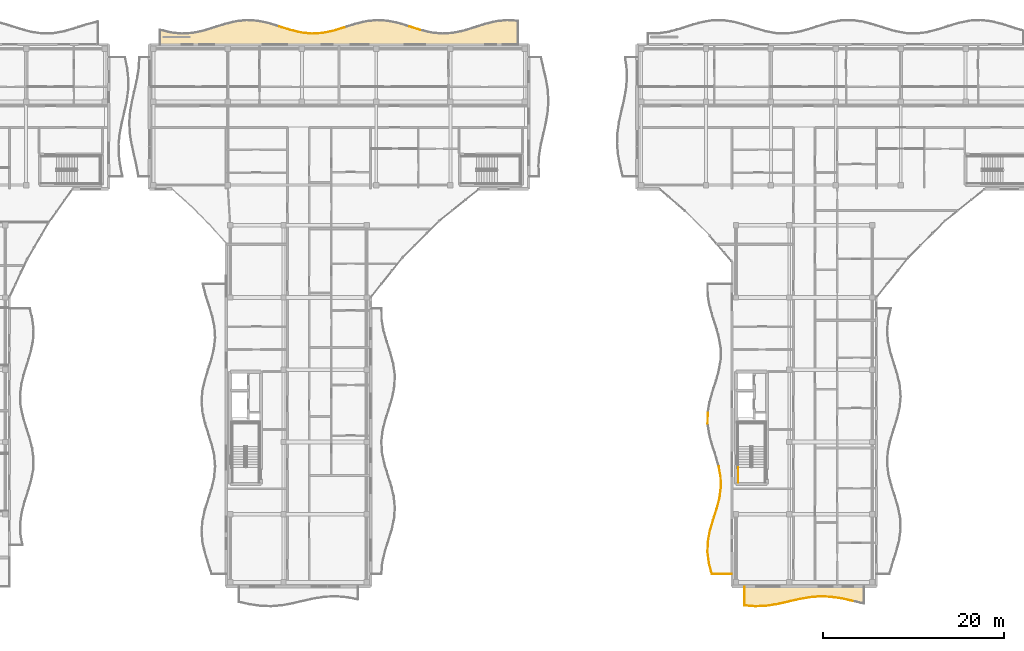
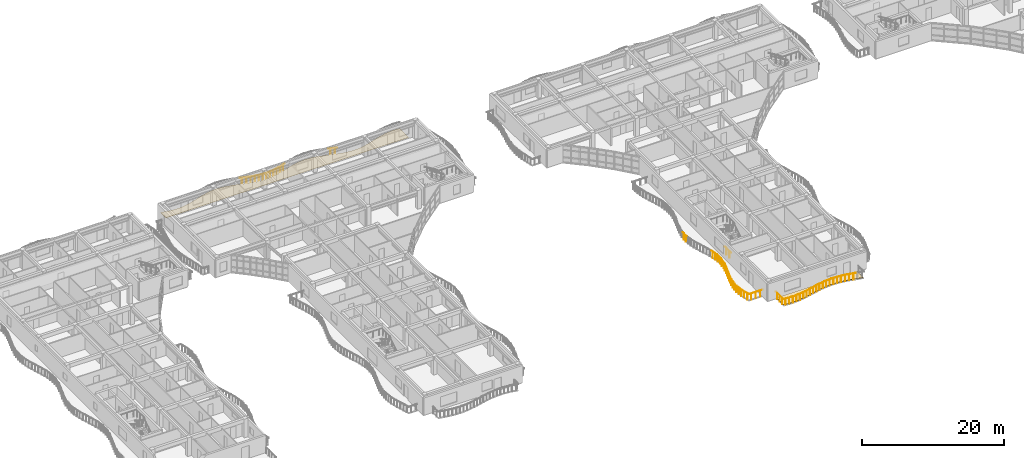
# One storey, part 57 of 72: 31 railings, 2 coverings.
"""IFC4 building model written with IfcOpenShell, lengths in metres."""

from ifc_helpers import new_model, si_unit, direction, frame, origin, origin_2d, place, context, subcontext, project, spatial, polyline, circle, outline, extrude, material, layer, layer_set, type_object, element, save


model = new_model("IFC4")

# Units and contexts
model_context = context("Model", 3, precision=1e-05, world=origin(), true_north=direction((0.0, 1.0)))
body_context = subcontext(model_context, "Body", "Model", "MODEL_VIEW")
ifc_project = project(units=[si_unit("LENGTHUNIT", "METRE"), si_unit("AREAUNIT", "SQUARE_METRE"), si_unit("VOLUMEUNIT", "CUBIC_METRE"), si_unit("PLANEANGLEUNIT", "RADIAN"), si_unit("MASSUNIT", "GRAM", prefix="KILO")], contexts=[model_context])

# Site, building, storey
site_placement = place(None, origin())
site = spatial("IfcSite", under=ifc_project, at=site_placement, CompositionType="ELEMENT")
building_placement = place(site_placement, origin())
building = spatial("IfcBuilding", under=site, at=building_placement, Name="Keldmere Railside Commons", CompositionType="ELEMENT")
storey_placement = place(building_placement, frame((0.0, 0.0, 16.9599609375)))
storey = spatial("IfcBuildingStorey", under=building, at=storey_placement, Name="L05", CompositionType="ELEMENT", Elevation=16.9599609375)

# Railings
ifc_material_1 = material(Name="Steel F-24 (S235)", Category="steel")
railing_type_1 = type_object("IfcRailingType", Name="Balcony & Terrace Steel Balustrade 1100", PredefinedType="BALUSTRADE", material=ifc_material_1)
railing_1_placement = place(storey_placement, frame((53.89990234375, 117.998779296875, 0.0)))
element("IfcRailing", 1, at=railing_1_placement, inside=storey, type_object=railing_type_1, Name="GR-1 GRD-L05-1318", PredefinedType="BALUSTRADE", context=body_context, shape_type="SweptSolid", body=[
    extrude(circle(Radius=0.02392578125, at=origin_2d()), frame((0.0, 0.0, 1.076171875), z_axis=(0.95321564853, -0.302291130199, 0.0), x_axis=(0.302291130199, 0.95321564853, 0.0)), (0.0, 0.0, 1.0), 1.259033203125),
    extrude(circle(Radius=0.02099609375, at=origin_2d()), frame((0.300048828125, -0.09521484375, 0.0)), (0.0, 0.0, 1.0), 1.048095703125),
    extrude(circle(Radius=0.02099609375, at=origin_2d()), frame((0.900146484375, -0.285400390625, 0.0)), (0.0, 0.0, 1.0), 1.048095703125),
])
railing_2_placement = place(storey_placement, frame((55.10009765625, 117.6181640625, 0.0)))
element("IfcRailing", 2, at=railing_2_placement, inside=storey, type_object=railing_type_1, Name="GR-1 GRD-L05-1319", PredefinedType="BALUSTRADE", context=body_context, shape_type="SweptSolid", body=[
    extrude(circle(Radius=0.02392578125, at=origin_2d()), frame((0.0, 0.0, 1.076171875), z_axis=(0.971692139908, -0.23625068305, 0.0), x_axis=(0.23625068305, 0.971692139908, 0.0)), (0.0, 0.0, 1.0), 1.23486328125),
    extrude(circle(Radius=0.02099609375, at=origin_2d()), frame((0.300048828125, -0.072998046875, 0.0)), (0.0, 0.0, 1.0), 1.048095703125),
    extrude(circle(Radius=0.02099609375, at=origin_2d()), frame((0.89990234375, -0.21875, 0.0)), (0.0, 0.0, 1.0), 1.048095703125),
])
railing_3_placement = place(storey_placement, frame((56.300048828125, 117.326416015625, 0.0)))
element("IfcRailing", 3, at=railing_3_placement, inside=storey, type_object=railing_type_1, Name="GR-1 GRD-L05-1320", PredefinedType="BALUSTRADE", context=body_context, shape_type="SweptSolid", body=[
    extrude(circle(Radius=0.02392578125, at=origin_2d()), frame((0.0, 0.0, 1.076171875), z_axis=(0.994638808846, -0.103410057237, 0.0), x_axis=(0.103410057237, 0.994638808846, 0.0)), (0.0, 0.0, 1.0), 1.206298828125),
    extrude(circle(Radius=0.02099609375, at=origin_2d()), frame((0.300048828125, -0.03125, 0.0)), (0.0, 0.0, 1.0), 1.048095703125),
    extrude(circle(Radius=0.02099609375, at=origin_2d()), frame((0.89990234375, -0.093505859375, 0.0)), (0.0, 0.0, 1.0), 1.048095703125),
])
railing_4_placement = place(storey_placement, frame((57.5, 117.20166015625, 0.0)))
element("IfcRailing", 4, at=railing_4_placement, inside=storey, type_object=railing_type_1, Name="GR-1 GRD-L05-1321", PredefinedType="BALUSTRADE", context=body_context, shape_type="SweptSolid", body=[
    extrude(circle(Radius=0.02392578125, at=origin_2d()), frame((0.0, 0.0, 1.076171875), z_axis=(0.998016861928, 0.062947146937, 0.0), x_axis=(-0.062947146937, 0.998016861928, 0.0)), (0.0, 0.0, 1.0), 1.202392578125),
    extrude(circle(Radius=0.02099609375, at=origin_2d()), frame((0.300048828125, 0.01904296875, 0.0)), (0.0, 0.0, 1.0), 1.048095703125),
    extrude(circle(Radius=0.02099609375, at=origin_2d()), frame((0.89990234375, 0.056640625, 0.0)), (0.0, 0.0, 1.0), 1.048095703125),
])
railing_5_placement = place(storey_placement, frame((58.699951171875, 117.27734375, 0.0)))
element("IfcRailing", 5, at=railing_5_placement, inside=storey, type_object=railing_type_1, Name="GR-1 GRD-L05-1322", PredefinedType="BALUSTRADE", context=body_context, shape_type="SweptSolid", body=[
    extrude(circle(Radius=0.02392578125, at=origin_2d()), frame((0.0, 0.0, 1.076171875), z_axis=(0.977973885386, 0.208727284999, 0.0), x_axis=(-0.208727284999, 0.977973885386, 0.0)), (0.0, 0.0, 1.0), 1.22705078125),
    extrude(circle(Radius=0.02099609375, at=origin_2d()), frame((0.300048828125, 0.06396484375, 0.0)), (0.0, 0.0, 1.0), 1.048095703125),
    extrude(circle(Radius=0.02099609375, at=origin_2d()), frame((0.89990234375, 0.192138671875, 0.0)), (0.0, 0.0, 1.0), 1.048095703125),
])
railing_6_placement = place(storey_placement, frame((59.89990234375, 117.533447265625, 0.0)))
element("IfcRailing", 6, at=railing_6_placement, inside=storey, type_object=railing_type_1, Name="GR-1 GRD-L05-1323", PredefinedType="BALUSTRADE", context=body_context, shape_type="SweptSolid", body=[
    extrude(circle(Radius=0.02392578125, at=origin_2d()), frame((0.0, 0.0, 1.076171875), z_axis=(0.95613994252, 0.292910242766, 0.0), x_axis=(-0.292910242766, 0.95613994252, 0.0)), (0.0, 0.0, 1.0), 1.25537109375),
    extrude(circle(Radius=0.02099609375, at=origin_2d()), frame((0.300048828125, 0.091796875, 0.0)), (0.0, 0.0, 1.0), 1.048095703125),
    extrude(circle(Radius=0.02099609375, at=origin_2d()), frame((0.900146484375, 0.27587890625, 0.0)), (0.0, 0.0, 1.0), 1.048095703125),
])
railing_7_placement = place(storey_placement, frame((68.300048828125, 117.998779296875, 0.0)))
element("IfcRailing", 7, at=railing_7_placement, inside=storey, type_object=railing_type_1, Name="GR-1 GRD-L05-1330", PredefinedType="BALUSTRADE", context=body_context, shape_type="SweptSolid", body=[
    extrude(circle(Radius=0.02392578125, at=origin_2d()), frame((0.0, 0.0, 1.076171875), z_axis=(0.953197924988, -0.302347012219, 0.0), x_axis=(0.302347012219, 0.953197924988, 0.0)), (0.0, 0.0, 1.0), 1.2587890625),
    extrude(circle(Radius=0.02099609375, at=origin_2d()), frame((0.300048828125, -0.09521484375, 0.0)), (0.0, 0.0, 1.0), 1.048095703125),
    extrude(circle(Radius=0.02099609375, at=origin_2d()), frame((0.89990234375, -0.285400390625, 0.0)), (0.0, 0.0, 1.0), 1.048095703125),
])
railing_8_placement = place(storey_placement, frame((104.0, 57.39990234375, 0.0)))
element("IfcRailing", 8, at=railing_8_placement, inside=storey, type_object=railing_type_1, Name="GR-1 GRD-L05-2431", PredefinedType="BALUSTRADE", context=body_context, shape_type="SweptSolid", body=[
    extrude(circle(Radius=0.02392578125, at=origin_2d()), frame((0.0, 0.0, 1.076171875), z_axis=(-1.0, 0.0, 0.0), x_axis=(0.0, -1.0, 0.0)), (0.0, 0.0, 1.0), 2.218994140625),
    extrude(circle(Radius=0.02099609375, at=origin_2d()), frame((-0.369873046875, 0.0, 0.0)), (0.0, 0.0, 1.0), 1.048095703125),
    extrude(circle(Radius=0.02099609375, at=origin_2d()), frame((-1.109375, 0.0, 0.0)), (0.0, 0.0, 1.0), 1.048095703125),
    extrude(circle(Radius=0.02099609375, at=origin_2d()), frame((-1.84912109375, 0.0, 0.0)), (0.0, 0.0, 1.0), 1.048095703125),
])
railing_9_placement = place(storey_placement, frame((101.781005859375, 57.39990234375, 0.0)))
element("IfcRailing", 9, at=railing_9_placement, inside=storey, type_object=railing_type_1, Name="GR-1 GRD-L05-2432", PredefinedType="BALUSTRADE", context=body_context, shape_type="SweptSolid", body=[
    extrude(circle(Radius=0.02392578125, at=origin_2d()), frame((0.0, 0.0, 1.076171875), z_axis=(-0.253642617491, 0.967298000924, 0.0), x_axis=(-0.967298000924, -0.253642617491, 0.0)), (0.0, 0.0, 1.0), 1.229248046875),
    extrude(circle(Radius=0.02099609375, at=origin_2d()), frame((-0.077880859375, 0.29736328125, 0.0)), (0.0, 0.0, 1.0), 1.048095703125),
    extrude(circle(Radius=0.02099609375, at=origin_2d()), frame((-0.23388671875, 0.8916015625, 0.0)), (0.0, 0.0, 1.0), 1.048095703125),
])
railing_10_placement = place(storey_placement, frame((101.46923828125, 58.5888671875, 0.0)))
element("IfcRailing", 10, at=railing_10_placement, inside=storey, type_object=railing_type_1, Name="GR-1 GRD-L05-2433", PredefinedType="BALUSTRADE", context=body_context, shape_type="SweptSolid", body=[
    extrude(circle(Radius=0.02392578125, at=origin_2d()), frame((0.0, 0.0, 1.076171875), z_axis=(-0.132497001518, 0.991183406131, 0.0), x_axis=(-0.991183406131, -0.132497001518, 0.0)), (0.0, 0.0, 1.0), 1.199462890625),
    extrude(circle(Radius=0.02099609375, at=origin_2d()), frame((-0.039794921875, 0.29736328125, 0.0)), (0.0, 0.0, 1.0), 1.048095703125),
    extrude(circle(Radius=0.02099609375, at=origin_2d()), frame((-0.119140625, 0.8916015625, 0.0)), (0.0, 0.0, 1.0), 1.048095703125),
])
railing_11_placement = place(storey_placement, frame((101.310302734375, 59.77783203125, 0.0)))
element("IfcRailing", 11, at=railing_11_placement, inside=storey, type_object=railing_type_1, Name="GR-1 GRD-L05-2434", PredefinedType="BALUSTRADE", context=body_context, shape_type="SweptSolid", body=[
    extrude(circle(Radius=0.02392578125, at=origin_2d()), frame((0.0, 0.0, 1.076171875), z_axis=(0.030171063291, 0.999544749844, 0.0), x_axis=(-0.999544749844, 0.030171063291, 0.0)), (0.0, 0.0, 1.0), 1.189453125),
    extrude(circle(Radius=0.02099609375, at=origin_2d()), frame((0.009033203125, 0.29736328125, 0.0)), (0.0, 0.0, 1.0), 1.048095703125),
    extrude(circle(Radius=0.02099609375, at=origin_2d()), frame((0.02685546875, 0.8916015625, 0.0)), (0.0, 0.0, 1.0), 1.048095703125),
])
railing_12_placement = place(storey_placement, frame((101.34619140625, 60.966796875, 0.0)))
element("IfcRailing", 12, at=railing_12_placement, inside=storey, type_object=railing_type_1, Name="GR-1 GRD-L05-2435", PredefinedType="BALUSTRADE", context=body_context, shape_type="SweptSolid", body=[
    extrude(circle(Radius=0.02392578125, at=origin_2d()), frame((0.0, 0.0, 1.076171875), z_axis=(0.182544788464, 0.98319753875, 0.0), x_axis=(-0.98319753875, 0.182544788464, 0.0)), (0.0, 0.0, 1.0), 1.208984375),
    extrude(circle(Radius=0.02099609375, at=origin_2d()), frame((0.05517578125, 0.297119140625, 0.0)), (0.0, 0.0, 1.0), 1.048095703125),
    extrude(circle(Radius=0.02099609375, at=origin_2d()), frame((0.16552734375, 0.8916015625, 0.0)), (0.0, 0.0, 1.0), 1.048095703125),
])
railing_13_placement = place(storey_placement, frame((101.56689453125, 62.155517578125, 0.0)))
element("IfcRailing", 13, at=railing_13_placement, inside=storey, type_object=railing_type_1, Name="GR-1 GRD-L05-2436", PredefinedType="BALUSTRADE", context=body_context, shape_type="SweptSolid", body=[
    extrude(circle(Radius=0.02392578125, at=origin_2d()), frame((0.0, 0.0, 1.076171875), z_axis=(0.281013858466, 0.959703710189, 0.0), x_axis=(-0.959703710189, 0.281013858466, 0.0)), (0.0, 0.0, 1.0), 1.23876953125),
    extrude(circle(Radius=0.02099609375, at=origin_2d()), frame((0.0869140625, 0.29736328125, 0.0)), (0.0, 0.0, 1.0), 1.048095703125),
    extrude(circle(Radius=0.02099609375, at=origin_2d()), frame((0.26123046875, 0.8916015625, 0.0)), (0.0, 0.0, 1.0), 1.048095703125),
])
railing_14_placement = place(storey_placement, frame((101.9150390625, 63.344482421875, 0.0)))
element("IfcRailing", 14, at=railing_14_placement, inside=storey, type_object=railing_type_1, Name="GR-1 GRD-L05-2437", PredefinedType="BALUSTRADE", context=body_context, shape_type="SweptSolid", body=[
    extrude(circle(Radius=0.02392578125, at=origin_2d()), frame((0.0, 0.0, 1.076171875), z_axis=(0.307065598681, 0.951688351356, 0.0), x_axis=(-0.951688351356, 0.307065598681, 0.0)), (0.0, 0.0, 1.0), 1.2490234375),
    extrude(circle(Radius=0.02099609375, at=origin_2d()), frame((0.095947265625, 0.297119140625, 0.0)), (0.0, 0.0, 1.0), 1.048095703125),
    extrude(circle(Radius=0.02099609375, at=origin_2d()), frame((0.28759765625, 0.8916015625, 0.0)), (0.0, 0.0, 1.0), 1.048095703125),
])
railing_15_placement = place(storey_placement, frame((102.298583984375, 64.533203125, 0.0)))
element("IfcRailing", 15, at=railing_15_placement, inside=storey, type_object=railing_type_1, Name="GR-1 GRD-L05-2438", PredefinedType="BALUSTRADE", context=body_context, shape_type="SweptSolid", body=[
    extrude(circle(Radius=0.02392578125, at=origin_2d()), frame((0.0, 0.0, 1.076171875), z_axis=(0.258465061621, 0.966020606365, 0.0), x_axis=(-0.966020606365, 0.258465061621, 0.0)), (0.0, 0.0, 1.0), 1.230712890625),
    extrude(circle(Radius=0.02099609375, at=origin_2d()), frame((0.07958984375, 0.29736328125, 0.0)), (0.0, 0.0, 1.0), 1.048095703125),
    extrude(circle(Radius=0.02099609375, at=origin_2d()), frame((0.238525390625, 0.8916015625, 0.0)), (0.0, 0.0, 1.0), 1.048095703125),
])
railing_16_placement = place(storey_placement, frame((102.61669921875, 65.72216796875, 0.0)))
element("IfcRailing", 16, at=railing_16_placement, inside=storey, type_object=railing_type_1, Name="GR-1 GRD-L05-2439", PredefinedType="BALUSTRADE", context=body_context, shape_type="SweptSolid", body=[
    extrude(circle(Radius=0.02392578125, at=origin_2d()), frame((0.0, 0.0, 1.076171875), z_axis=(0.140681316736, 0.990054931366, 0.0), x_axis=(-0.990054931366, 0.140681316736, 0.0)), (0.0, 0.0, 1.0), 1.200927734375),
    extrude(circle(Radius=0.02099609375, at=origin_2d()), frame((0.042236328125, 0.29736328125, 0.0)), (0.0, 0.0, 1.0), 1.048095703125),
    extrude(circle(Radius=0.02099609375, at=origin_2d()), frame((0.126708984375, 0.8916015625, 0.0)), (0.0, 0.0, 1.0), 1.048095703125),
])
railing_17_placement = place(storey_placement, frame((102.78564453125, 66.9111328125, 0.0)))
element("IfcRailing", 17, at=railing_17_placement, inside=storey, type_object=railing_type_1, Name="GR-1 GRD-L05-2440", PredefinedType="BALUSTRADE", context=body_context, shape_type="SweptSolid", body=[
    extrude(circle(Radius=0.02392578125, at=origin_2d()), frame((0.0, 0.0, 1.076171875), z_axis=(-0.020529553316, 0.999789246512, 0.0), x_axis=(-0.999789246512, -0.020529553316, 0.0)), (0.0, 0.0, 1.0), 1.189208984375),
    extrude(circle(Radius=0.02099609375, at=origin_2d()), frame((-0.006103515625, 0.29736328125, 0.0)), (0.0, 0.0, 1.0), 1.048095703125),
    extrude(circle(Radius=0.02099609375, at=origin_2d()), frame((-0.018310546875, 0.8916015625, 0.0)), (0.0, 0.0, 1.0), 1.048095703125),
])
railing_18_placement = place(storey_placement, frame((102.76123046875, 68.10009765625, 0.0)))
element("IfcRailing", 18, at=railing_18_placement, inside=storey, type_object=railing_type_1, Name="GR-1 GRD-L05-2441", PredefinedType="BALUSTRADE", context=body_context, shape_type="SweptSolid", body=[
    extrude(circle(Radius=0.02392578125, at=origin_2d()), frame((0.0, 0.0, 1.076171875), z_axis=(-0.175307735817, 0.984513685919, 0.0), x_axis=(-0.984513685919, -0.175307735817, 0.0)), (0.0, 0.0, 1.0), 1.20751953125),
    extrude(circle(Radius=0.02099609375, at=origin_2d()), frame((-0.052978515625, 0.297119140625, 0.0)), (0.0, 0.0, 1.0), 1.048095703125),
    extrude(circle(Radius=0.02099609375, at=origin_2d()), frame((-0.15869140625, 0.8916015625, 0.0)), (0.0, 0.0, 1.0), 1.048095703125),
])
railing_19_placement = place(storey_placement, frame((101.31884765625, 74.04443359375, 0.0)))
element("IfcRailing", 19, at=railing_19_placement, inside=storey, type_object=railing_type_1, Name="GR-1 GRD-L05-2446", PredefinedType="BALUSTRADE", context=body_context, shape_type="SweptSolid", body=[
    extrude(circle(Radius=0.02392578125, at=origin_2d()), frame((0.0, 0.0, 1.076171875), z_axis=(0.011292914336, 0.99993623301, 0.0), x_axis=(-0.99993623301, 0.011292914336, 0.0)), (0.0, 0.0, 1.0), 1.18896484375),
    extrude(circle(Radius=0.02099609375, at=origin_2d()), frame((0.00341796875, 0.29736328125, 0.0)), (0.0, 0.0, 1.0), 1.048095703125),
    extrude(circle(Radius=0.02099609375, at=origin_2d()), frame((0.010009765625, 0.8916015625, 0.0)), (0.0, 0.0, 1.0), 1.048095703125),
])
railing_20_placement = place(storey_placement, frame((105.39990234375, 56.0, 0.0)))
element("IfcRailing", 20, at=railing_20_placement, inside=storey, type_object=railing_type_1, Name="GR-1 GRD-L05-2486", PredefinedType="BALUSTRADE", context=body_context, shape_type="SweptSolid", body=[
    extrude(circle(Radius=0.02392578125, at=origin_2d()), frame((0.0, 0.0, 1.076171875), z_axis=(0.0, -1.0, 0.0), x_axis=(1.0, 0.0, 0.0)), (0.0, 0.0, 1.0), 2.102783203125),
    extrude(circle(Radius=0.02099609375, at=origin_2d()), frame((0.0, -0.3505859375, 0.0)), (0.0, 0.0, 1.0), 1.048095703125),
    extrude(circle(Radius=0.02099609375, at=origin_2d()), frame((0.0, -1.05126953125, 0.0)), (0.0, 0.0, 1.0), 1.048095703125),
    extrude(circle(Radius=0.02099609375, at=origin_2d()), frame((0.0, -1.75244140625, 0.0)), (0.0, 0.0, 1.0), 1.048095703125),
])
railing_21_placement = place(storey_placement, frame((105.39990234375, 53.897216796875, 0.0)))
element("IfcRailing", 21, at=railing_21_placement, inside=storey, type_object=railing_type_1, Name="GR-1 GRD-L05-2487", PredefinedType="BALUSTRADE", context=body_context, shape_type="SweptSolid", body=[
    extrude(circle(Radius=0.02392578125, at=origin_2d()), frame((0.0, 0.0, 1.076171875), z_axis=(0.996851924002, -0.079285822271, 0.0), x_axis=(0.079285822271, 0.996851924002, 0.0)), (0.0, 0.0, 1.0), 1.2041015625),
    extrude(circle(Radius=0.02099609375, at=origin_2d()), frame((0.300048828125, -0.02392578125, 0.0)), (0.0, 0.0, 1.0), 1.048095703125),
    extrude(circle(Radius=0.02099609375, at=origin_2d()), frame((0.900146484375, -0.071533203125, 0.0)), (0.0, 0.0, 1.0), 1.048095703125),
])
railing_22_placement = place(storey_placement, frame((106.60009765625, 53.8017578125, 0.0)))
element("IfcRailing", 22, at=railing_22_placement, inside=storey, type_object=railing_type_1, Name="GR-1 GRD-L05-2488", PredefinedType="BALUSTRADE", context=body_context, shape_type="SweptSolid", body=[
    extrude(circle(Radius=0.02392578125, at=origin_2d()), frame((0.0, 0.0, 1.076171875), z_axis=(0.999088477424, 0.042687401884, 0.0), x_axis=(-0.042687401884, 0.999088477424, 0.0)), (0.0, 0.0, 1.0), 1.200927734375),
    extrude(circle(Radius=0.02099609375, at=origin_2d()), frame((0.300048828125, 0.0126953125, 0.0)), (0.0, 0.0, 1.0), 1.048095703125),
    extrude(circle(Radius=0.02099609375, at=origin_2d()), frame((0.89990234375, 0.03857421875, 0.0)), (0.0, 0.0, 1.0), 1.048095703125),
])
railing_23_placement = place(storey_placement, frame((107.800048828125, 53.85302734375, 0.0)))
element("IfcRailing", 23, at=railing_23_placement, inside=storey, type_object=railing_type_1, Name="GR-1 GRD-L05-2489", PredefinedType="BALUSTRADE", context=body_context, shape_type="SweptSolid", body=[
    extrude(circle(Radius=0.02392578125, at=origin_2d()), frame((0.0, 0.0, 1.076171875), z_axis=(0.988376346758, 0.152026961983, 0.0), x_axis=(-0.152026961983, 0.988376346758, 0.0)), (0.0, 0.0, 1.0), 1.214111328125),
    extrude(circle(Radius=0.02099609375, at=origin_2d()), frame((0.300048828125, 0.046142578125, 0.0)), (0.0, 0.0, 1.0), 1.048095703125),
    extrude(circle(Radius=0.02099609375, at=origin_2d()), frame((0.89990234375, 0.138427734375, 0.0)), (0.0, 0.0, 1.0), 1.048095703125),
])
railing_24_placement = place(storey_placement, frame((109.0, 54.03759765625, 0.0)))
element("IfcRailing", 24, at=railing_24_placement, inside=storey, type_object=railing_type_1, Name="GR-1 GRD-L05-2490", PredefinedType="BALUSTRADE", context=body_context, shape_type="SweptSolid", body=[
    extrude(circle(Radius=0.02392578125, at=origin_2d()), frame((0.0, 0.0, 1.076171875), z_axis=(0.975901231984, 0.218212706806, 0.0), x_axis=(-0.218212706806, 0.975901231984, 0.0)), (0.0, 0.0, 1.0), 1.2294921875),
    extrude(circle(Radius=0.02099609375, at=origin_2d()), frame((0.300048828125, 0.067138671875, 0.0)), (0.0, 0.0, 1.0), 1.048095703125),
    extrude(circle(Radius=0.02099609375, at=origin_2d()), frame((0.89990234375, 0.201171875, 0.0)), (0.0, 0.0, 1.0), 1.048095703125),
])
railing_25_placement = place(storey_placement, frame((110.199951171875, 54.305908203125, 0.0)))
element("IfcRailing", 25, at=railing_25_placement, inside=storey, type_object=railing_type_1, Name="GR-1 GRD-L05-2491", PredefinedType="BALUSTRADE", context=body_context, shape_type="SweptSolid", body=[
    extrude(circle(Radius=0.02392578125, at=origin_2d()), frame((0.0, 0.0, 1.076171875), z_axis=(0.973833901833, 0.22726093294, 0.0), x_axis=(-0.22726093294, 0.973833901833, 0.0)), (0.0, 0.0, 1.0), 1.232177734375),
    extrude(circle(Radius=0.02099609375, at=origin_2d()), frame((0.300048828125, 0.070068359375, 0.0)), (0.0, 0.0, 1.0), 1.048095703125),
    extrude(circle(Radius=0.02099609375, at=origin_2d()), frame((0.89990234375, 0.2099609375, 0.0)), (0.0, 0.0, 1.0), 1.048095703125),
])
railing_26_placement = place(storey_placement, frame((111.39990234375, 54.5859375, 0.0)))
element("IfcRailing", 26, at=railing_26_placement, inside=storey, type_object=railing_type_1, Name="GR-1 GRD-L05-2492", PredefinedType="BALUSTRADE", context=body_context, shape_type="SweptSolid", body=[
    extrude(circle(Radius=0.02392578125, at=origin_2d()), frame((0.0, 0.0, 1.076171875), z_axis=(0.984074246269, 0.17775791918, 0.0), x_axis=(-0.17775791918, 0.984074246269, 0.0)), (0.0, 0.0, 1.0), 1.2197265625),
    extrude(circle(Radius=0.02099609375, at=origin_2d()), frame((0.300048828125, 0.05419921875, 0.0)), (0.0, 0.0, 1.0), 1.048095703125),
    extrude(circle(Radius=0.02099609375, at=origin_2d()), frame((0.900146484375, 0.16259765625, 0.0)), (0.0, 0.0, 1.0), 1.048095703125),
])
railing_27_placement = place(storey_placement, frame((112.60009765625, 54.802734375, 0.0)))
element("IfcRailing", 27, at=railing_27_placement, inside=storey, type_object=railing_type_1, Name="GR-1 GRD-L05-2493", PredefinedType="BALUSTRADE", context=body_context, shape_type="SweptSolid", body=[
    extrude(circle(Radius=0.02392578125, at=origin_2d()), frame((0.0, 0.0, 1.076171875), z_axis=(0.99685064891, 0.079301852233, 0.0), x_axis=(-0.079301852233, 0.99685064891, 0.0)), (0.0, 0.0, 1.0), 1.203857421875),
    extrude(circle(Radius=0.02099609375, at=origin_2d()), frame((0.300048828125, 0.02392578125, 0.0)), (0.0, 0.0, 1.0), 1.048095703125),
    extrude(circle(Radius=0.02099609375, at=origin_2d()), frame((0.89990234375, 0.071533203125, 0.0)), (0.0, 0.0, 1.0), 1.048095703125),
])
railing_28_placement = place(storey_placement, frame((113.800048828125, 54.898193359375, 0.0)))
element("IfcRailing", 28, at=railing_28_placement, inside=storey, type_object=railing_type_1, Name="GR-1 GRD-L05-2494", PredefinedType="BALUSTRADE", context=body_context, shape_type="SweptSolid", body=[
    extrude(circle(Radius=0.02392578125, at=origin_2d()), frame((0.0, 0.0, 1.076171875), z_axis=(0.999088477424, -0.042687401884, 0.0), x_axis=(0.042687401884, 0.999088477424, 0.0)), (0.0, 0.0, 1.0), 1.200927734375),
    extrude(circle(Radius=0.02099609375, at=origin_2d()), frame((0.300048828125, -0.0126953125, 0.0)), (0.0, 0.0, 1.0), 1.048095703125),
    extrude(circle(Radius=0.02099609375, at=origin_2d()), frame((0.89990234375, -0.03857421875, 0.0)), (0.0, 0.0, 1.0), 1.048095703125),
])
railing_29_placement = place(storey_placement, frame((115.0, 54.846923828125, 0.0)))
element("IfcRailing", 29, at=railing_29_placement, inside=storey, type_object=railing_type_1, Name="GR-1 GRD-L05-2495", PredefinedType="BALUSTRADE", context=body_context, shape_type="SweptSolid", body=[
    extrude(circle(Radius=0.02392578125, at=origin_2d()), frame((0.0, 0.0, 1.076171875), z_axis=(0.988376346758, -0.152026961983, 0.0), x_axis=(0.152026961983, 0.988376346758, 0.0)), (0.0, 0.0, 1.0), 1.214111328125),
    extrude(circle(Radius=0.02099609375, at=origin_2d()), frame((0.300048828125, -0.046142578125, 0.0)), (0.0, 0.0, 1.0), 1.048095703125),
    extrude(circle(Radius=0.02099609375, at=origin_2d()), frame((0.89990234375, -0.138427734375, 0.0)), (0.0, 0.0, 1.0), 1.048095703125),
])
railing_30_placement = place(storey_placement, frame((116.199951171875, 54.662353515625, 0.0)))
element("IfcRailing", 30, at=railing_30_placement, inside=storey, type_object=railing_type_1, Name="GR-1 GRD-L05-2496", PredefinedType="BALUSTRADE", context=body_context, shape_type="SweptSolid", body=[
    extrude(circle(Radius=0.02392578125, at=origin_2d()), frame((0.0, 0.0, 1.076171875), z_axis=(0.975943498732, -0.218023593409, 0.0), x_axis=(0.218023593409, 0.975943498732, 0.0)), (0.0, 0.0, 1.0), 1.2294921875),
    extrude(circle(Radius=0.02099609375, at=origin_2d()), frame((0.300048828125, -0.06689453125, 0.0)), (0.0, 0.0, 1.0), 1.048095703125),
    extrude(circle(Radius=0.02099609375, at=origin_2d()), frame((0.89990234375, -0.201171875, 0.0)), (0.0, 0.0, 1.0), 1.048095703125),
])
railing_type_2 = type_object("IfcRailingType", Name="Stair Well Steel Guardrail 1100", PredefinedType="BALUSTRADE", material=ifc_material_1)
railing_31_placement = place(storey_placement, frame((104.699951171875, 67.5, 0.0)))
element("IfcRailing", 31, at=railing_31_placement, inside=storey, type_object=railing_type_2, Name="L05 ST-B1 stair guard 9", PredefinedType="BALUSTRADE", context=body_context, shape_type="SweptSolid", body=[
    extrude(circle(Radius=0.02392578125, at=origin_2d()), frame((0.0, 0.0, 1.076171875), z_axis=(0.0, 1.0, 0.0), x_axis=(-1.0, 0.0, 0.0)), (0.0, 0.0, 1.0), 1.699951171875),
    extrude(circle(Radius=0.02099609375, at=origin_2d()), frame((0.0, 0.425048828125, 0.0)), (0.0, 0.0, 1.0), 1.048095703125),
    extrude(circle(Radius=0.02099609375, at=origin_2d()), frame((0.0, 1.27490234375, 0.0)), (0.0, 0.0, 1.0), 1.048095703125),
])

# Coverings
ifc_material_2 = material(Name="White Precast Concrete C35/45", Category="concrete")
ifc_layer = layer(ifc_material_2, 0.044921875, Name="White Architectural Balcony Ribbon Cladding 45")
ifc_layer_set = layer_set([ifc_layer], Name="White Precast Concrete C35/45")
covering_type = type_object("IfcCoveringType", Name="White Architectural Balcony Ribbon Cladding 45", PredefinedType="FLOORING", material=ifc_layer_set)
covering_1_placement = place(storey_placement, origin())
element("IfcCovering", 32, at=covering_1_placement, inside=storey, type_object=covering_type, Name="CLG-WB C L05 N White Balcony Ribbon", PredefinedType="FLOORING", context=body_context, shape_type="SweptSolid", body=[
    extrude(outline(polyline([(80.260009765625, 116.0400390625), (80.260009765625, 118.5849609375), (79.100830078125, 118.658203125), (77.90673828125, 118.5341796875), (76.710693359375, 118.243408203125), (75.51220703125, 117.863037109375), (75.51171875, 117.86279296875), (74.311767578125, 117.495361328125), (74.308349609375, 117.494384765625), (73.1083984375, 117.23828125), (73.1025390625, 117.237548828125), (71.902587890625, 117.16162109375), (71.899169921875, 117.16162109375), (71.89599609375, 117.161865234375), (70.69580078125, 117.28662109375), (70.6904296875, 117.287353515625), (69.490478515625, 117.5791015625), (69.48779296875, 117.580078125), (68.2880859375, 117.960693359375), (67.08984375, 118.32763671875), (65.89453125, 118.5830078125), (64.70068359375, 118.658203125), (63.5068359375, 118.5341796875), (62.310791015625, 118.243408203125), (61.112060546875, 117.863037109375), (61.11181640625, 117.86279296875), (59.91162109375, 117.495361328125), (59.908203125, 117.494384765625), (58.708251953125, 117.23828125), (58.702392578125, 117.237548828125), (57.50244140625, 117.16162109375), (57.499267578125, 117.16162109375), (57.495849609375, 117.161865234375), (56.2958984375, 117.28662109375), (56.29052734375, 117.287353515625), (55.090576171875, 117.5791015625), (55.087890625, 117.580078125), (53.88818359375, 117.960693359375), (52.68994140625, 118.32763671875), (51.494384765625, 118.5830078125), (50.30078125, 118.658203125), (49.106689453125, 118.5341796875), (47.910888671875, 118.243408203125), (46.712158203125, 117.863037109375), (46.711669921875, 117.86279296875), (45.51171875, 117.495361328125), (45.50830078125, 117.494384765625), (44.308349609375, 117.23828125), (44.302490234375, 117.237548828125), (43.1025390625, 117.16162109375), (43.09912109375, 117.16162109375), (43.095947265625, 117.161865234375), (41.89599609375, 117.28662109375), (41.890380859375, 117.287353515625), (40.739990234375, 117.567138671875), (40.739990234375, 116.0400390625), (80.260009765625, 116.0400390625)])), origin(), (0.0, 0.0, 1.0), 0.044921875),
])
covering_2_placement = place(storey_placement, origin())
element("IfcCovering", 33, at=covering_2_placement, inside=storey, type_object=covering_type, Name="CLG-WB B L05 S White Balcony Ribbon", PredefinedType="FLOORING", context=body_context, shape_type="SweptSolid", body=[
    extrude(outline(polyline([(106.6005859375, 53.841796875), (107.796142578125, 53.89306640625), (108.99267578125, 54.076904296875), (110.191162109375, 54.3447265625), (111.390869140625, 54.625), (111.392822265625, 54.625244140625), (112.593017578125, 54.842041015625), (112.5966796875, 54.842529296875), (113.796875, 54.93798828125), (113.8017578125, 54.938232421875), (115.001708984375, 54.886962890625), (115.006103515625, 54.886474609375), (116.2060546875, 54.701904296875), (116.208740234375, 54.701416015625), (117.40869140625, 54.43310546875), (117.4091796875, 54.43310546875), (118.56005859375, 54.16455078125), (118.56005859375, 55.9599609375), (105.43994140625, 55.9599609375), (105.43994140625, 53.93408203125), (106.6005859375, 53.841796875)])), origin(), (0.0, 0.0, 1.0), 0.044921875),
])

save(model, "model.ifc")
